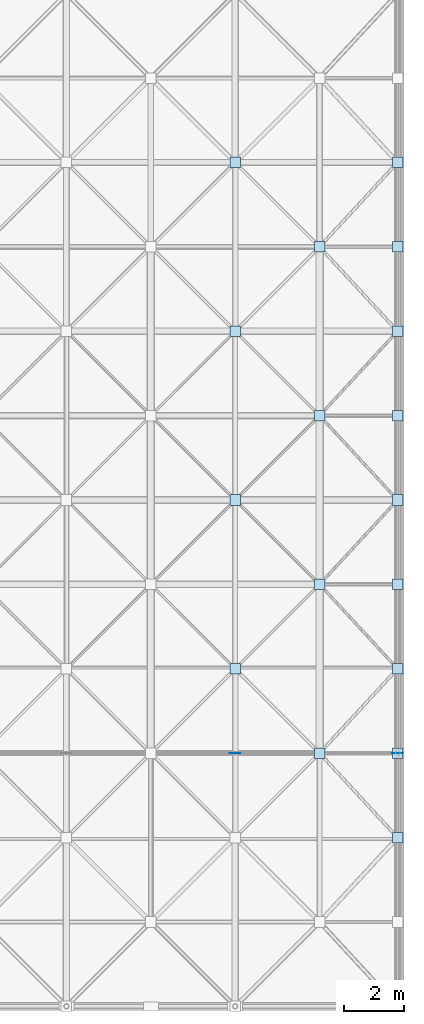
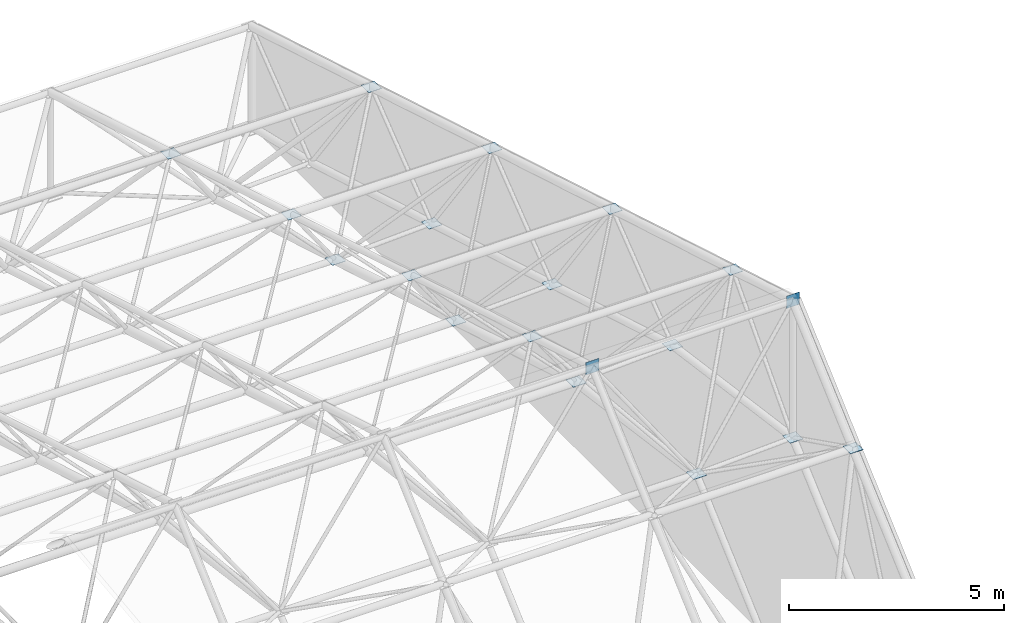
# One storey, part 62 of 100: 19 plates.
"""IFC4 building model written with IfcOpenShell, lengths in metres."""

from ifc_helpers import new_model, si_unit, direction, frame, origin, origin_2d, place, context, subcontext, project, spatial, rectangle, extrude, material, layer, layer_set, type_object, element, save


model = new_model("IFC4")

# Units and contexts
model_context = context("Model", 3, precision=1e-05, world=origin(), true_north=direction((0.0, 1.0)))
body_context = subcontext(model_context, "Body", "Model", "MODEL_VIEW")
ifc_project = project(units=[si_unit("LENGTHUNIT", "METRE"), si_unit("AREAUNIT", "SQUARE_METRE"), si_unit("VOLUMEUNIT", "CUBIC_METRE"), si_unit("PLANEANGLEUNIT", "RADIAN"), si_unit("MASSUNIT", "GRAM", prefix="KILO")], contexts=[model_context])

# Site, building, storey
site_placement = place(None, origin())
site = spatial("IfcSite", under=ifc_project, at=site_placement, CompositionType="ELEMENT")
building_placement = place(site_placement, origin())
building = spatial("IfcBuilding", under=site, at=building_placement, Name="Kiln Court Media Centre", CompositionType="ELEMENT")
storey_placement = place(building_placement, frame((0.0, 0.0, 15.0)))
storey = spatial("IfcBuildingStorey", under=building, at=storey_placement, Name="L03", CompositionType="ELEMENT", Elevation=15.0)

# Plates
ifc_material = material(Name="Steel ASTM A572 Gr 50", Category="steel")
ifc_layer = layer(ifc_material, 0.010009765625)
ifc_layer_set = layer_set([ifc_layer], Name="Steel ASTM A572 Gr 50 350x350x10 connection plate V2")
plate_type = type_object("IfcPlateType", Name="Steel ASTM A572 Gr 50 350x350x10 connection plate V2", PredefinedType="USERDEFINED", material=ifc_layer_set)
plate_1_placement = place(storey_placement, frame((162.39990234375, 42.0, 10.324951171875), z_axis=(0.0, 0.0, 1.0), x_axis=(1.0, 0.0, 0.0)))
element("IfcPlate", 1, at=plate_1_placement, inside=storey, type_object=plate_type, Name="V2 node connection plate", ObjectType="CONNECTION PLATE", PredefinedType="USERDEFINED", context=body_context, shape_type="SweptSolid", body=[
    extrude(rectangle(XDim=0.35009765625, YDim=0.010009765625, at=origin_2d()), origin(), (0.0, 0.0, 1.0), 0.35009765625),
])
for number, where, z_axis, x_axis, name in (
    (2, (162.39990234375, 44.800048828125, 9.66162109375), (0.0, 0.0, 1.0), (1.0, 0.0, 0.0), "V2 node connection plate"),
    (3, (162.39990234375, 50.39990234375, 7.9951171875), (0.0, 0.0, 1.0), (1.0, 0.0, 0.0), "V2 node connection plate"),
    (4, (162.39990234375, 56.0, 6.328125), (0.0, 0.0, 1.0), (1.0, 0.0, 0.0), "V2 node connection plate"),
    (5, (162.39990234375, 61.60009765625, 4.66162109375), (0.0, 0.0, 1.0), (1.0, 0.0, 0.0), "V2 node connection plate"),
    (6, (165.199951171875, 42.0, 6.47314453125), (0.0, 0.0, 1.0), (1.0, 0.0, 0.0), "V2 node connection plate"),
    (7, (165.199951171875, 47.60009765625, 5.6982421875), (0.0, 0.0, 1.0), (1.0, 0.0, 0.0), "V2 node connection plate"),
    (8, (165.199951171875, 53.199951171875, 4.03173828125), (0.0, 0.0, 1.0), (1.0, 0.0, 0.0), "V2 node connection plate"),
    (9, (165.199951171875, 58.800048828125, 2.365234375), (0.0, 0.0, 1.0), (1.0, 0.0, 0.0), "V2 node connection plate"),
    (10, (167.78662109375, 39.199951171875, 7.9951171875), (0.0, 0.0, 1.0), (1.0, 0.0, 0.0), "V2 node connection plate"),
    (11, (167.78662109375, 42.0, 6.59814453125), (0.0, 0.0, 1.0), (1.0, 0.0, 0.0), "V2 node connection plate"),
):
    element("IfcPlate", number, at=place(storey_placement, frame(where, z_axis=z_axis, x_axis=x_axis)), inside=storey, type_object=plate_type, Name=name, ObjectType="CONNECTION PLATE", PredefinedType="USERDEFINED", context=body_context, shape_type="SweptSolid", body=[
        extrude(rectangle(XDim=0.35009765625, YDim=0.35009765625, at=origin_2d()), origin(), (0.0, 0.0, 1.0), 0.010009765625),
    ])
plate_2_placement = place(storey_placement, frame((167.78662109375, 42.0, 10.324951171875), z_axis=(0.0, 0.0, 1.0), x_axis=(1.0, 0.0, 0.0)))
element("IfcPlate", 12, at=plate_2_placement, inside=storey, type_object=plate_type, Name="V2 node connection plate", ObjectType="CONNECTION PLATE", PredefinedType="USERDEFINED", context=body_context, shape_type="SweptSolid", body=[
    extrude(rectangle(XDim=0.35009765625, YDim=0.010009765625, at=origin_2d()), origin(), (0.0, 0.0, 1.0), 0.35009765625),
])
for number, where, z_axis, x_axis, name in (
    (13, (167.78662109375, 44.800048828125, 9.66162109375), (0.0, 0.0, 1.0), (1.0, 0.0, 0.0), "V2 node connection plate"),
    (14, (167.78662109375, 47.60009765625, 5.8232421875), (0.0, 0.0, 1.0), (1.0, 0.0, 0.0), "V2 node connection plate"),
    (15, (167.78662109375, 50.39990234375, 7.9951171875), (0.0, 0.0, 1.0), (1.0, 0.0, 0.0), "V2 node connection plate"),
    (16, (167.78662109375, 53.199951171875, 4.15625), (0.0, 0.0, 1.0), (1.0, 0.0, 0.0), "V2 node connection plate"),
    (17, (167.78662109375, 56.0, 6.328125), (0.0, 0.0, 1.0), (1.0, 0.0, 0.0), "V2 node connection plate"),
    (18, (167.78662109375, 58.800048828125, 2.48974609375), (0.0, 0.0, 1.0), (1.0, 0.0, 0.0), "V2 node connection plate"),
    (19, (167.78662109375, 61.60009765625, 4.66162109375), (0.0, 0.0, 1.0), (1.0, 0.0, 0.0), "V2 node connection plate"),
):
    element("IfcPlate", number, at=place(storey_placement, frame(where, z_axis=z_axis, x_axis=x_axis)), inside=storey, type_object=plate_type, Name=name, ObjectType="CONNECTION PLATE", PredefinedType="USERDEFINED", context=body_context, shape_type="SweptSolid", body=[
        extrude(rectangle(XDim=0.35009765625, YDim=0.35009765625, at=origin_2d()), origin(), (0.0, 0.0, 1.0), 0.010009765625),
    ])

save(model, "model.ifc")
